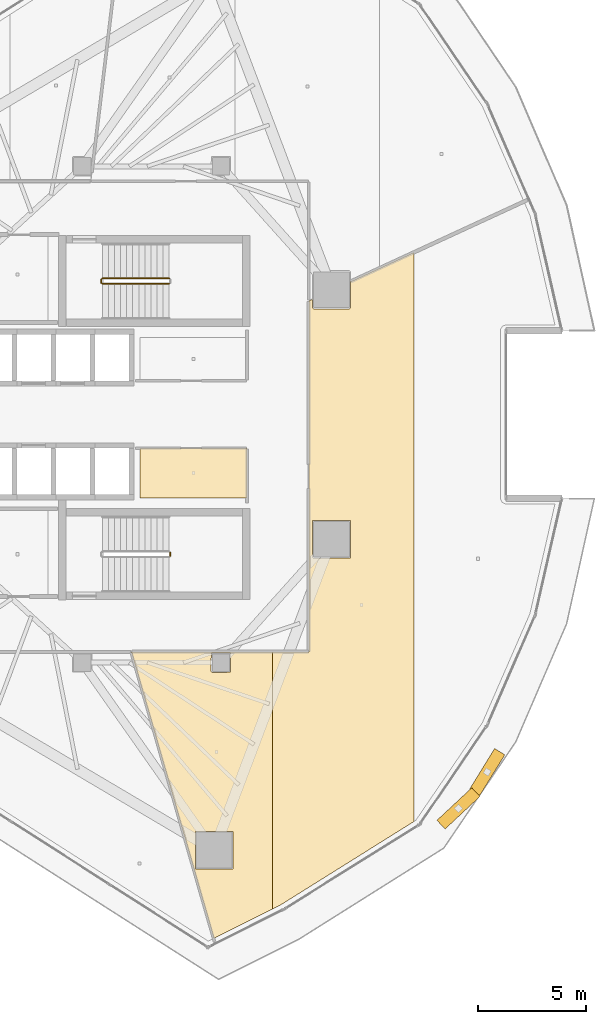
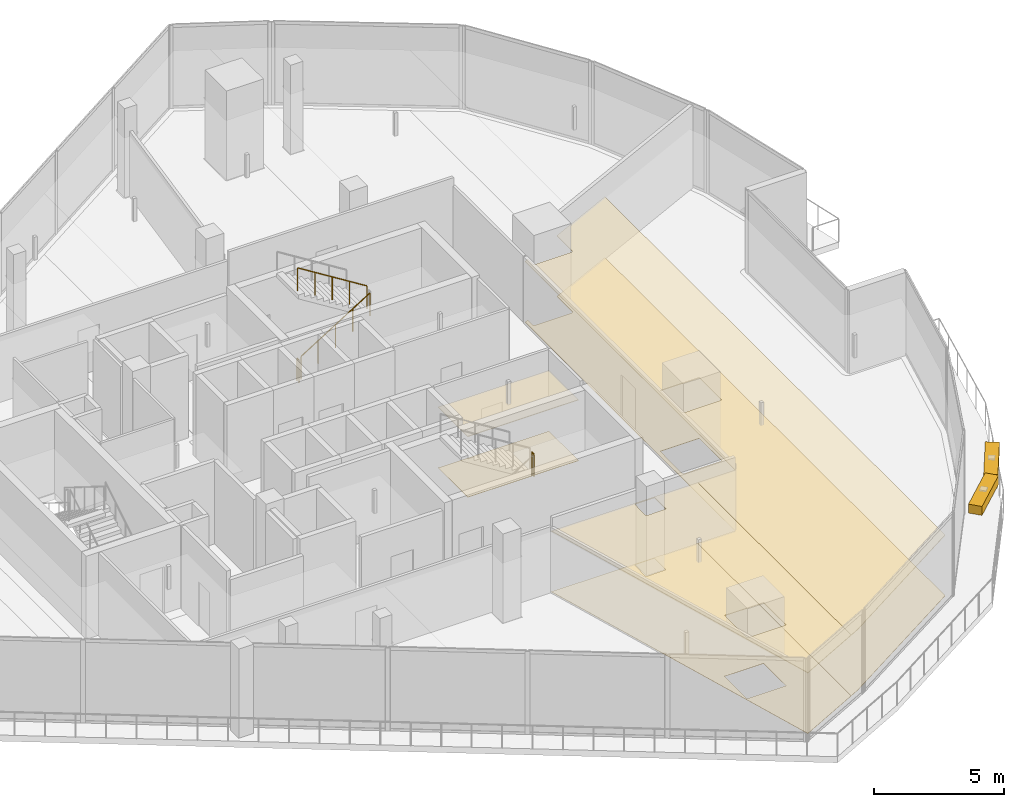
# One storey, part 29 of 31: 6 coverings, 4 railings, 2 shading devices.
"""IFC4 building model written with IfcOpenShell, lengths in metres."""

from ifc_helpers import new_model, si_unit, direction, frame, origin, origin_2d, place, context, subcontext, project, spatial, polyline, rectangle, circle, outline, extrude, material, layer, layer_set, type_object, element, save


model = new_model("IFC4")

# Units and contexts
model_context = context("Model", 3, precision=1e-05, world=origin(), true_north=direction((0.0, 1.0)))
body_context = subcontext(model_context, "Body", "Model", "MODEL_VIEW")
ifc_project = project(units=[si_unit("LENGTHUNIT", "METRE"), si_unit("AREAUNIT", "SQUARE_METRE"), si_unit("VOLUMEUNIT", "CUBIC_METRE"), si_unit("PLANEANGLEUNIT", "RADIAN"), si_unit("MASSUNIT", "GRAM", prefix="KILO")], contexts=[model_context])

# Site, building, storey
site_placement = place(None, origin())
site = spatial("IfcSite", under=ifc_project, at=site_placement, CompositionType="ELEMENT")
building_placement = place(site_placement, origin())
building = spatial("IfcBuilding", under=site, at=building_placement, Name="Qorvath Tower", CompositionType="ELEMENT")
storey_placement = place(building_placement, frame((0.0, 0.0, 259.800048828125)))
storey = spatial("IfcBuildingStorey", under=building, at=storey_placement, Name="L60", CompositionType="ELEMENT", Elevation=259.800048828125)

# Coverings
ifc_material_1 = material(Name="Acoustic mineral fibre ceiling tile", Category="gypsum")
ifc_layer_1 = layer(ifc_material_1, 0.030029296875)
ifc_layer_set_1 = layer_set([ifc_layer_1], Name="COV-CEIL")
covering_type_1 = type_object("IfcCoveringType", Name="COV-CEIL", PredefinedType="CEILING", material=ifc_layer_set_1)
covering_1_placement = place(storey_placement, frame((0.0, 0.0, 2.849853515625)))
element("IfcCovering", 1, at=covering_1_placement, inside=storey, type_object=covering_type_1, Name="L60 Suspended Acoustic Ceiling 004", PredefinedType="CEILING", context=body_context, shape_type="SweptSolid", body=[
    extrude(outline(polyline([(-20.93994140625, -1.56494140625), (-20.93994140625, -3.85009765625), (-16.0048828125, -3.85009765625), (-16.0048828125, -1.56494140625), (-20.93994140625, -1.56494140625)])), origin(), (0.0, 0.0, 1.0), 0.030029296875),
])
covering_2_placement = place(storey_placement, frame((0.0, 0.0, 2.849853515625)))
element("IfcCovering", 2, at=covering_2_placement, inside=storey, type_object=covering_type_1, Name="L60 Suspended Acoustic Ceiling 013", PredefinedType="CEILING", context=body_context, shape_type="SweptSolid", body=[
    extrude(outline(polyline([(-14.815673828125, -22.814453125), (-14.815673828125, -10.9619140625), (-21.330322265625, -10.962890625), (-17.52783203125, -24.17041015625), (-14.815673828125, -22.814453125)]), holes=[polyline([(-18.3828125, -20.968994140625), (-18.3828125, -19.234130859375), (-16.648193359375, -19.234130859375), (-16.648193359375, -20.968994140625), (-18.3828125, -20.968994140625)]), polyline([(-17.659912109375, -11.85009765625), (-17.642333984375, -11.007568359375), (-16.757568359375, -11.007568359375), (-16.757568359375, -11.892333984375), (-17.60009765625, -11.909912109375), (-17.659912109375, -11.85009765625)])]), origin(), (0.0, 0.0, 1.0), 0.030029296875),
])
covering_3_placement = place(storey_placement, frame((0.0, 0.0, 2.849853515625)))
element("IfcCovering", 3, at=covering_3_placement, inside=storey, type_object=covering_type_1, Name="L60 Suspended Acoustic Ceiling 014", PredefinedType="CEILING", context=body_context, shape_type="SweptSolid", body=[
    extrude(outline(polyline([(-8.301025390625, -18.788818359375), (-8.301025390625, 7.4716796875), (-11.2119140625, 6.128173828125), (-11.2119140625, 4.932861328125), (-11.271728515625, 4.872802734375), (-12.921875, 4.872802734375), (-12.981689453125, 4.932861328125), (-12.981689453125, 5.311279296875), (-13.136962890625, 5.239501953125), (-13.138427734375, -10.96142578125), (-14.815673828125, -10.9619140625), (-14.815673828125, -22.814453125), (-14.4140625, -22.613525390625), (-8.301025390625, -18.788818359375)]), holes=[polyline([(-12.981689453125, -6.5830078125), (-12.964111328125, -4.890380859375), (-11.2294921875, -4.890380859375), (-11.2294921875, -6.625244140625), (-12.921875, -6.642822265625), (-12.981689453125, -6.5830078125)])]), origin(), (0.0, 0.0, 1.0), 0.030029296875),
])
ifc_material_2 = material(Name="Low-VOC modular carpet tile", Category="textile")
ifc_layer_2 = layer(ifc_material_2, 0.014892578125)
ifc_layer_set_2 = layer_set([ifc_layer_2], Name="COV-FLOOR-CPT")
covering_type_2 = type_object("IfcCoveringType", Name="COV-FLOOR-CPT", PredefinedType="FLOORING", material=ifc_layer_set_2)
covering_4_placement = place(storey_placement, origin())
element("IfcCovering", 4, at=covering_4_placement, inside=storey, type_object=covering_type_2, Name="L60 Floor Finish 004", PredefinedType="FLOORING", context=body_context, shape_type="SweptSolid", body=[
    extrude(outline(polyline([(-20.93994140625, -1.56494140625), (-20.93994140625, -3.85009765625), (-16.0048828125, -3.85009765625), (-16.0048828125, -1.56494140625), (-20.93994140625, -1.56494140625)])), origin(), (0.0, 0.0, 1.0), 0.014892578125),
])
covering_5_placement = place(storey_placement, origin())
element("IfcCovering", 5, at=covering_5_placement, inside=storey, type_object=covering_type_2, Name="L60 Floor Finish 013", PredefinedType="FLOORING", context=body_context, shape_type="SweptSolid", body=[
    extrude(outline(polyline([(-14.815673828125, -22.814453125), (-14.815673828125, -10.9619140625), (-21.330322265625, -10.962890625), (-17.52783203125, -24.17041015625), (-14.815673828125, -22.814453125)]), holes=[polyline([(-18.3828125, -20.968994140625), (-18.3828125, -19.234130859375), (-16.648193359375, -19.234130859375), (-16.648193359375, -20.968994140625), (-18.3828125, -20.968994140625)]), polyline([(-17.659912109375, -11.85009765625), (-17.642333984375, -11.007568359375), (-16.757568359375, -11.007568359375), (-16.757568359375, -11.892333984375), (-17.60009765625, -11.909912109375), (-17.659912109375, -11.85009765625)])]), origin(), (0.0, 0.0, 1.0), 0.014892578125),
])
covering_6_placement = place(storey_placement, origin())
element("IfcCovering", 6, at=covering_6_placement, inside=storey, type_object=covering_type_2, Name="L60 Floor Finish 014", PredefinedType="FLOORING", context=body_context, shape_type="SweptSolid", body=[
    extrude(outline(polyline([(-8.301025390625, -18.788818359375), (-8.301025390625, 7.4716796875), (-11.2119140625, 6.128173828125), (-11.2119140625, 4.932861328125), (-11.271728515625, 4.872802734375), (-12.921875, 4.872802734375), (-12.981689453125, 4.932861328125), (-12.981689453125, 5.311279296875), (-13.136962890625, 5.239501953125), (-13.138427734375, -10.96142578125), (-14.815673828125, -10.9619140625), (-14.815673828125, -22.814453125), (-14.4140625, -22.613525390625), (-8.301025390625, -18.788818359375)]), holes=[polyline([(-12.981689453125, -6.5830078125), (-12.964111328125, -4.890380859375), (-11.2294921875, -4.890380859375), (-11.2294921875, -6.625244140625), (-12.921875, -6.642822265625), (-12.981689453125, -6.5830078125)])]), origin(), (0.0, 0.0, 1.0), 0.014892578125),
])

# Railings
ifc_material_3 = material(Name="Painted galvanised steel", Category="steel")
railing_type = type_object("IfcRailingType", Name="RL-STR-GRD", PredefinedType="GUARDRAIL", material=ifc_material_3)
railing_1_placement = place(storey_placement, frame((-22.669921875, 6.030029296875, 0.175048828125)))
element("IfcRailing", 7, at=railing_1_placement, inside=storey, type_object=railing_type, Name="L60 TS1 stair guard 1", PredefinedType="GUARDRAIL", context=body_context, shape_type="SweptSolid", body=[
    extrude(circle(Radius=0.02392578125, at=origin_2d()), frame((0.0, 0.0, 1.076171875), z_axis=(0.848009633417, 0.0, 0.529980812513), x_axis=(0.0, 1.0, 0.0)), (0.0, 0.0, 1.0), 3.6318359375),
    extrude(circle(Radius=0.02099609375, at=origin_2d()), origin(), (0.0, 0.0, 1.0), 1.052001953125),
    extrude(circle(Radius=0.02099609375, at=origin_2d()), frame((0.77001953125, 0.0, 0.481201171875)), (0.0, 0.0, 1.0), 1.052001953125),
    extrude(circle(Radius=0.02099609375, at=origin_2d()), frame((1.5400390625, 0.0, 0.96240234375)), (0.0, 0.0, 1.0), 1.052001953125),
    extrude(circle(Radius=0.02099609375, at=origin_2d()), frame((2.309814453125, 0.0, 1.443603515625)), (0.0, 0.0, 1.0), 1.052001953125),
    extrude(circle(Radius=0.02099609375, at=origin_2d()), frame((3.079833984375, 0.0, 1.9248046875)), (0.0, 0.0, 1.0), 1.052001953125),
])
railing_2_placement = place(storey_placement, frame((-19.590087890625, 6.280029296875, 2.27490234375)))
element("IfcRailing", 8, at=railing_2_placement, inside=storey, type_object=railing_type, Name="L60 TS1 stair guard 3", PredefinedType="GUARDRAIL", context=body_context, shape_type="SweptSolid", body=[
    extrude(circle(Radius=0.02392578125, at=origin_2d()), frame((0.0, 0.0, 1.076171875), z_axis=(-0.847979421464, 0.0, 0.530029150871), x_axis=(0.0, -1.0, 0.0)), (0.0, 0.0, 1.0), 3.632080078125),
    extrude(circle(Radius=0.02099609375, at=origin_2d()), origin(), (0.0, 0.0, 1.0), 1.052001953125),
    extrude(circle(Radius=0.02099609375, at=origin_2d()), frame((-0.77001953125, 0.0, 0.481201171875)), (0.0, 0.0, 1.0), 1.052001953125),
    extrude(circle(Radius=0.02099609375, at=origin_2d()), frame((-1.5400390625, 0.0, 0.96240234375)), (0.0, 0.0, 1.0), 1.052001953125),
    extrude(circle(Radius=0.02099609375, at=origin_2d()), frame((-2.309814453125, 0.0, 1.44384765625)), (0.0, 0.0, 1.0), 1.052001953125),
    extrude(circle(Radius=0.02099609375, at=origin_2d()), frame((-3.079833984375, 0.0, 1.925048828125)), (0.0, 0.0, 1.0), 1.052001953125),
])
for number, where, name in (
    (9, (-22.719970703125, 6.080078125, 0.0), "L60 TS1 stair guard 4"),
    (10, (-19.5400390625, -6.52001953125, 2.099853515625), "L60 TS2 stair guard 2"),
):
    element("IfcRailing", number, at=place(storey_placement, frame(where)), inside=storey, type_object=railing_type, Name=name, PredefinedType="GUARDRAIL", context=body_context, shape_type="SweptSolid", body=[
        extrude(circle(Radius=0.02392578125, at=origin_2d()), frame((0.0, 0.0, 1.076171875), z_axis=(0.0, 1.0, 0.0), x_axis=(-1.0, 0.0, 0.0)), (0.0, 0.0, 1.0), 0.14990234375),
        extrude(circle(Radius=0.02099609375, at=origin_2d()), origin(), (0.0, 0.0, 1.0), 1.052001953125),
        extrude(circle(Radius=0.02099609375, at=origin_2d()), frame((0.0, 0.14990234375, 0.0)), (0.0, 0.0, 1.0), 1.052001953125),
    ])

# Shading devices
ifc_material_4 = material(Name="Anodised bronze-champagne aluminium", Category="aluminium")
shading_device_type = type_object("IfcShadingDeviceType", Name="SD-LOUVRE", PredefinedType="JALOUSIE", material=ifc_material_4)
for number, where, z_axis, x_axis, name in (
    (11, (-6.239501953125, -18.17724609375, 3.489990234375), (0.0, 0.0, 1.0), (0.731025090752, 0.682350581952, 0.0), "Sinusoidal Wave Louvre Blade L60-03"),
    (12, (-4.9130859375, -16.49755859375, 3.489990234375), (0.0, 0.0, 1.0), (0.524191033832, 0.851600704585, 0.0), "Sinusoidal Wave Louvre Blade L60-04"),
):
    element("IfcShadingDevice", number, at=place(storey_placement, frame(where, z_axis=z_axis, x_axis=x_axis)), inside=storey, type_object=shading_device_type, Name=name, PredefinedType="NOTDEFINED", context=body_context, shape_type="SweptSolid", body=[
        extrude(rectangle(XDim=2.199951171875, YDim=0.550048828125, at=origin_2d()), origin(), (0.0, 0.0, 1.0), 0.419921875),
    ])

save(model, "model.ifc")
